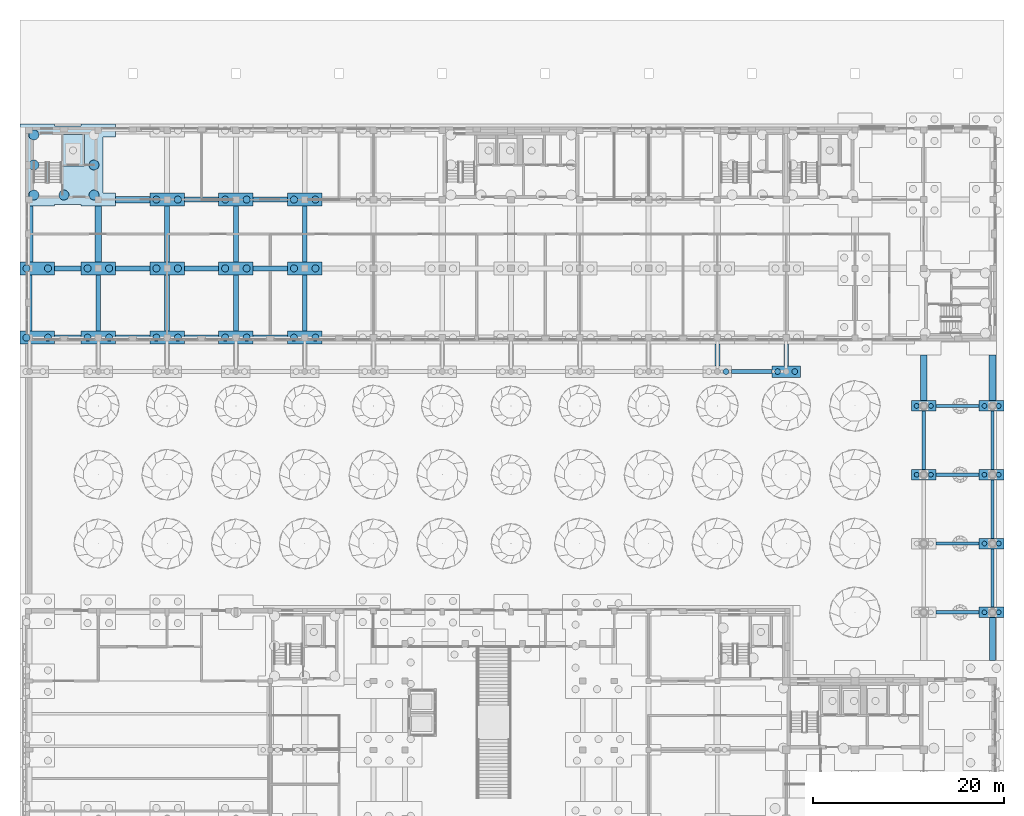
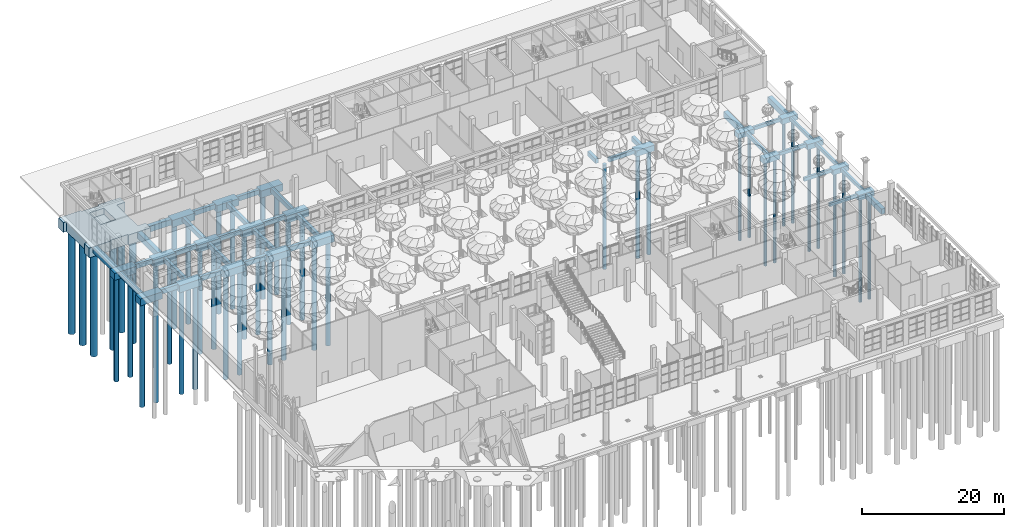
# One storey, part 5 of 80: 57 footings, 47 piles.
"""IFC4 building model written with IfcOpenShell, lengths in metres."""

from ifc_helpers import new_model, si_unit, direction, frame, origin, origin_2d, place, context, subcontext, project, spatial, polyline, rectangle, circle, outline, extrude, material, material_profile, profile_set, type_object, element, save


model = new_model("IFC4")

# Units and contexts
model_context = context("Model", 3, precision=1e-05, world=origin(), true_north=direction((0.0, 1.0)))
body_context = subcontext(model_context, "Body", "Model", "MODEL_VIEW")
ifc_project = project(units=[si_unit("LENGTHUNIT", "METRE"), si_unit("AREAUNIT", "SQUARE_METRE"), si_unit("VOLUMEUNIT", "CUBIC_METRE"), si_unit("PLANEANGLEUNIT", "RADIAN"), si_unit("MASSUNIT", "GRAM", prefix="KILO")], contexts=[model_context])

# Site, building, storey
site_placement = place(None, origin())
site = spatial("IfcSite", under=ifc_project, at=site_placement, CompositionType="ELEMENT")
building_placement = place(site_placement, origin())
building = spatial("IfcBuilding", under=site, at=building_placement, Name="Ussher Court Research Institute", CompositionType="ELEMENT")
storey_placement = place(building_placement, origin())
storey = spatial("IfcBuildingStorey", under=building, at=storey_placement, Name="L00", CompositionType="ELEMENT", Elevation=0.0)

# Piles
ifc_material_1 = material(Name="Concrete C35/45", Category="concrete")
ifc_material_profile_1 = material_profile(ifc_material_1, circle(Radius=0.52490234375, at=origin_2d()), Name="RC D1050")
ifc_profile_set_1 = profile_set([ifc_material_profile_1], Name="Concrete C35/45")
pile_type_1 = type_object("IfcPileType", Name="Bored pile D1050", PredefinedType="BORED", material=ifc_profile_set_1)
for number, where, z_axis, x_axis, name in (
    (1, (3.449951171875, 83.675048828125, -2.10009765625), (0.0, 0.0, -1.0), (1.0, 0.0, 0.0), "P5 016-01"),
    (2, (3.449951171875, 86.824951171875, -2.10009765625), (0.0, 0.0, -1.0), (1.0, 0.0, 0.0), "P5 016-02"),
    (3, (3.449951171875, 89.97509765625, -2.10009765625), (0.0, 0.0, -1.0), (1.0, 0.0, 0.0), "P5 016-03"),
    (4, (6.60009765625, 83.675048828125, -2.10009765625), (0.0, 0.0, -1.0), (1.0, 0.0, 0.0), "P5 016-04"),
    (5, (9.75, 83.675048828125, -2.10009765625), (0.0, 0.0, -1.0), (1.0, 0.0, 0.0), "P5 016-05"),
    (6, (9.75, 86.824951171875, -2.10009765625), (0.0, 0.0, -1.0), (1.0, 0.0, 0.0), "P5 016-06"),
):
    element("IfcPile", number, at=place(storey_placement, frame(where, z_axis=z_axis, x_axis=x_axis)), inside=storey, type_object=pile_type_1, Name=name, PredefinedType="BORED", context=body_context, shape_type="SweptSolid", body=[
        extrude(circle(Radius=0.52490234375, at=origin_2d()), origin(), (0.0, 0.0, 1.0), 18.0),
    ])
ifc_material_2 = material(Name="Concrete C35/45", Category="concrete")
ifc_material_profile_2 = material_profile(ifc_material_2, circle(Radius=0.25, at=origin_2d()), Name="RC D500")
ifc_profile_set_2 = profile_set([ifc_material_profile_2], Name="Concrete C35/45")
pile_type_2 = type_object("IfcPileType", Name="Bored pile D500", PredefinedType="BORED", material=ifc_profile_set_2)
for number, where, z_axis, x_axis, name in (
    (7, (95.85009765625, 54.39990234375, -1.300048828125), (0.0, 0.0, -1.0), (1.0, 0.0, 0.0), "P4 107-01"),
    (8, (97.35009765625, 54.39990234375, -1.300048828125), (0.0, 0.0, -1.0), (1.0, 0.0, 0.0), "P4 107-02"),
    (9, (95.85009765625, 61.60009765625, -1.300048828125), (0.0, 0.0, -1.0), (1.0, 0.0, 0.0), "P4 108-01"),
    (10, (97.35009765625, 61.60009765625, -1.300048828125), (0.0, 0.0, -1.0), (1.0, 0.0, 0.0), "P4 108-02"),
    (11, (102.949951171875, 40.0, -1.300048828125), (0.0, 0.0, -1.0), (1.0, 0.0, 0.0), "P4 116-01"),
    (12, (104.449951171875, 40.0, -1.300048828125), (0.0, 0.0, -1.0), (1.0, 0.0, 0.0), "P4 116-02"),
    (13, (102.949951171875, 47.199951171875, -1.300048828125), (0.0, 0.0, -1.0), (1.0, 0.0, 0.0), "P4 117-01"),
    (14, (104.449951171875, 47.199951171875, -1.300048828125), (0.0, 0.0, -1.0), (1.0, 0.0, 0.0), "P4 117-02"),
    (15, (102.949951171875, 54.39990234375, -1.300048828125), (0.0, 0.0, -1.0), (1.0, 0.0, 0.0), "P4 118-01"),
    (16, (104.449951171875, 54.39990234375, -1.300048828125), (0.0, 0.0, -1.0), (1.0, 0.0, 0.0), "P4 118-02"),
    (17, (102.949951171875, 61.60009765625, -1.300048828125), (0.0, 0.0, -1.0), (1.0, 0.0, 0.0), "P4 119-01"),
    (18, (104.449951171875, 61.60009765625, -1.300048828125), (0.0, 0.0, -1.0), (1.0, 0.0, 0.0), "P4 119-02"),
):
    element("IfcPile", number, at=place(storey_placement, frame(where, z_axis=z_axis, x_axis=x_axis)), inside=storey, type_object=pile_type_2, Name=name, PredefinedType="BORED", context=body_context, shape_type="SweptSolid", body=[
        extrude(circle(Radius=0.25, at=origin_2d()), origin(), (0.0, 0.0, 1.0), 18.0),
    ])
ifc_material_3 = material(Name="Concrete C35/45", Category="concrete")
ifc_material_profile_3 = material_profile(ifc_material_3, circle(Radius=0.300048828125, at=origin_2d()), Name="RC D600")
ifc_profile_set_3 = profile_set([ifc_material_profile_3], Name="Concrete C35/45")
pile_type_3 = type_object("IfcPileType", Name="Bored pile D600", PredefinedType="BORED", material=ifc_profile_set_3)
for number, where, z_axis, x_axis, name in (
    (19, (75.89990234375, 65.199951171875, -1.39990234375), (0.0, 0.0, -1.0), (1.0, 0.0, 0.0), "P2 085-02"),
    (20, (81.300048828125, 65.199951171875, -1.39990234375), (0.0, 0.0, -1.0), (1.0, 0.0, 0.0), "P2 095-01"),
    (21, (83.10009765625, 65.199951171875, -1.39990234375), (0.0, 0.0, -1.0), (1.0, 0.0, 0.0), "P2 095-02"),
):
    element("IfcPile", number, at=place(storey_placement, frame(where, z_axis=z_axis, x_axis=x_axis)), inside=storey, type_object=pile_type_3, Name=name, PredefinedType="BORED", context=body_context, shape_type="SweptSolid", body=[
        extrude(circle(Radius=0.300048828125, at=origin_2d()), origin(), (0.0, 0.0, 1.0), 18.0),
    ])
ifc_material_4 = material(Name="Concrete C35/45", Category="concrete")
ifc_material_profile_4 = material_profile(ifc_material_4, circle(Radius=0.375, at=origin_2d()), Name="RC D750")
ifc_profile_set_4 = profile_set([ifc_material_profile_4], Name="Concrete C35/45")
pile_type_4 = type_object("IfcPileType", Name="Bored pile D750", PredefinedType="BORED", material=ifc_profile_set_4)
for number, where, z_axis, x_axis, name in (
    (22, (2.675048828125, 68.75, -1.60009765625), (0.0, 0.0, -1.0), (1.0, 0.0, 0.0), "P1 014-01"),
    (23, (4.925048828125, 68.75, -1.60009765625), (0.0, 0.0, -1.0), (1.0, 0.0, 0.0), "P1 014-02"),
    (24, (2.675048828125, 76.0, -1.60009765625), (0.0, 0.0, -1.0), (1.0, 0.0, 0.0), "P1 015-01"),
    (25, (4.925048828125, 76.0, -1.60009765625), (0.0, 0.0, -1.0), (1.0, 0.0, 0.0), "P1 015-02"),
    (26, (9.074951171875, 68.75, -1.60009765625), (0.0, 0.0, -1.0), (1.0, 0.0, 0.0), "P1 019-01"),
    (27, (11.324951171875, 68.75, -1.60009765625), (0.0, 0.0, -1.0), (1.0, 0.0, 0.0), "P1 019-02"),
    (28, (9.074951171875, 76.0, -1.60009765625), (0.0, 0.0, -1.0), (1.0, 0.0, 0.0), "P1 020-01"),
    (29, (11.324951171875, 76.0, -1.60009765625), (0.0, 0.0, -1.0), (1.0, 0.0, 0.0), "P1 020-02"),
    (30, (16.27490234375, 68.75, -1.60009765625), (0.0, 0.0, -1.0), (1.0, 0.0, 0.0), "P1 026-01"),
    (31, (18.52490234375, 68.75, -1.60009765625), (0.0, 0.0, -1.0), (1.0, 0.0, 0.0), "P1 026-02"),
    (32, (16.27490234375, 76.0, -1.60009765625), (0.0, 0.0, -1.0), (1.0, 0.0, 0.0), "P1 027-01"),
    (33, (18.52490234375, 76.0, -1.60009765625), (0.0, 0.0, -1.0), (1.0, 0.0, 0.0), "P1 027-02"),
    (34, (16.27490234375, 83.199951171875, -1.60009765625), (0.0, 0.0, -1.0), (1.0, 0.0, 0.0), "P1 028-01"),
    (35, (18.52490234375, 83.199951171875, -1.60009765625), (0.0, 0.0, -1.0), (1.0, 0.0, 0.0), "P1 028-02"),
    (36, (23.47509765625, 68.75, -1.60009765625), (0.0, 0.0, -1.0), (1.0, 0.0, 0.0), "P1 034-01"),
    (37, (25.72509765625, 68.75, -1.60009765625), (0.0, 0.0, -1.0), (1.0, 0.0, 0.0), "P1 034-02"),
    (38, (23.47509765625, 76.0, -1.60009765625), (0.0, 0.0, -1.0), (1.0, 0.0, 0.0), "P1 035-01"),
    (39, (25.72509765625, 76.0, -1.60009765625), (0.0, 0.0, -1.0), (1.0, 0.0, 0.0), "P1 035-02"),
    (40, (23.47509765625, 83.199951171875, -1.60009765625), (0.0, 0.0, -1.0), (1.0, 0.0, 0.0), "P1 036-01"),
    (41, (25.72509765625, 83.199951171875, -1.60009765625), (0.0, 0.0, -1.0), (1.0, 0.0, 0.0), "P1 036-02"),
    (42, (30.675048828125, 68.75, -1.60009765625), (0.0, 0.0, -1.0), (1.0, 0.0, 0.0), "P1 040-01"),
    (43, (32.925048828125, 68.75, -1.60009765625), (0.0, 0.0, -1.0), (1.0, 0.0, 0.0), "P1 040-02"),
    (44, (30.675048828125, 76.0, -1.60009765625), (0.0, 0.0, -1.0), (1.0, 0.0, 0.0), "P1 041-01"),
    (45, (32.925048828125, 76.0, -1.60009765625), (0.0, 0.0, -1.0), (1.0, 0.0, 0.0), "P1 041-02"),
    (46, (30.675048828125, 83.199951171875, -1.60009765625), (0.0, 0.0, -1.0), (1.0, 0.0, 0.0), "P1 042-01"),
    (47, (32.925048828125, 83.199951171875, -1.60009765625), (0.0, 0.0, -1.0), (1.0, 0.0, 0.0), "P1 042-02"),
):
    element("IfcPile", number, at=place(storey_placement, frame(where, z_axis=z_axis, x_axis=x_axis)), inside=storey, type_object=pile_type_4, Name=name, PredefinedType="BORED", context=body_context, shape_type="SweptSolid", body=[
        extrude(circle(Radius=0.375, at=origin_2d()), origin(), (0.0, 0.0, 1.0), 18.0),
    ])

# Footings
ifc_material_5 = material(Name="Concrete C35/45", Category="concrete")
footing_type_1 = type_object("IfcFootingType", Name="Core raft 10000x8600x1700", PredefinedType="PILE_CAP", material=ifc_material_5)
footing_1_placement = place(storey_placement, frame((0.0, 0.0, -2.25)))
element("IfcFooting", 48, at=footing_1_placement, inside=storey, type_object=footing_type_1, Name="CR12 016", PredefinedType="PILE_CAP", context=body_context, shape_type="SweptSolid", body=[
    extrude(outline(polyline([(2.5, 89.77490234375), (2.5, 83.875), (2.0, 83.875), (2.0, 82.52490234375), (5.60009765625, 82.52490234375), (5.60009765625, 82.699951171875), (8.39990234375, 82.699951171875), (8.39990234375, 82.52490234375), (12.0, 82.52490234375), (12.0, 83.875), (10.699951171875, 83.875), (10.699951171875, 89.77490234375), (12.0, 89.77490234375), (12.0, 91.125), (8.39990234375, 91.125), (8.39990234375, 90.89990234375), (5.60009765625, 90.89990234375), (5.60009765625, 91.125), (2.0, 91.125), (2.0, 89.77490234375), (2.5, 89.77490234375)]), holes=[polyline([(8.75, 90.0), (8.75, 86.699951171875), (6.35009765625, 86.699951171875), (6.35009765625, 90.0), (8.75, 90.0)])]), origin(), (0.0, 0.0, 1.0), 1.699951171875),
])
ifc_material_6 = material(Name="Concrete C35/45", Category="concrete")
footing_type_2 = type_object("IfcFootingType", Name="Core raft 3300x2400x1200", PredefinedType="PILE_CAP", material=ifc_material_6)
footing_2_placement = place(storey_placement, frame((0.0, 0.0, -2.800048828125)))
element("IfcFooting", 49, at=footing_2_placement, inside=storey, type_object=footing_type_2, Name="CR3 002", PredefinedType="PILE_CAP", context=body_context, shape_type="SweptSolid", body=[
    extrude(outline(polyline([(8.75, 86.699951171875), (8.75, 90.0), (6.35009765625, 90.0), (6.35009765625, 86.699951171875), (8.75, 86.699951171875)])), origin(), (0.0, 0.0, 1.0), 1.199951171875),
])
ifc_material_7 = material(Name="Concrete C35/45", Category="concrete")
footing_type_3 = type_object("IfcFootingType", Name="Pile cap 2600x1100x900", PredefinedType="PILE_CAP", material=ifc_material_7)
footing_3_placement = place(storey_placement, frame((0.0, 0.0, -1.449951171875)))
element("IfcFooting", 50, at=footing_3_placement, inside=storey, type_object=footing_type_3, Name="PC1 107", PredefinedType="PILE_CAP", context=body_context, shape_type="SweptSolid", body=[
    extrude(outline(polyline([(95.300048828125, 53.85009765625), (97.89990234375, 53.85009765625), (97.89990234375, 54.949951171875), (95.300048828125, 54.949951171875), (95.300048828125, 53.85009765625)])), origin(), (0.0, 0.0, 1.0), 0.89990234375),
])
footing_4_placement = place(storey_placement, frame((0.0, 0.0, -1.449951171875)))
element("IfcFooting", 51, at=footing_4_placement, inside=storey, type_object=footing_type_3, Name="PC1 108", PredefinedType="PILE_CAP", context=body_context, shape_type="SweptSolid", body=[
    extrude(outline(polyline([(95.300048828125, 61.050048828125), (97.89990234375, 61.050048828125), (97.89990234375, 62.14990234375), (95.300048828125, 62.14990234375), (95.300048828125, 61.050048828125)])), origin(), (0.0, 0.0, 1.0), 0.89990234375),
])
footing_5_placement = place(storey_placement, frame((0.0, 0.0, -1.449951171875)))
element("IfcFooting", 52, at=footing_5_placement, inside=storey, type_object=footing_type_3, Name="PC1 116", PredefinedType="PILE_CAP", context=body_context, shape_type="SweptSolid", body=[
    extrude(outline(polyline([(102.39990234375, 39.449951171875), (105.0, 39.449951171875), (105.0, 40.550048828125), (102.39990234375, 40.550048828125), (102.39990234375, 39.449951171875)])), origin(), (0.0, 0.0, 1.0), 0.89990234375),
])
footing_6_placement = place(storey_placement, frame((0.0, 0.0, -1.449951171875)))
element("IfcFooting", 53, at=footing_6_placement, inside=storey, type_object=footing_type_3, Name="PC1 117", PredefinedType="PILE_CAP", context=body_context, shape_type="SweptSolid", body=[
    extrude(outline(polyline([(102.39990234375, 46.64990234375), (105.0, 46.64990234375), (105.0, 47.75), (102.39990234375, 47.75), (102.39990234375, 46.64990234375)])), origin(), (0.0, 0.0, 1.0), 0.89990234375),
])
footing_7_placement = place(storey_placement, frame((0.0, 0.0, -1.449951171875)))
element("IfcFooting", 54, at=footing_7_placement, inside=storey, type_object=footing_type_3, Name="PC1 118", PredefinedType="PILE_CAP", context=body_context, shape_type="SweptSolid", body=[
    extrude(outline(polyline([(102.39990234375, 53.85009765625), (105.0, 53.85009765625), (105.0, 54.949951171875), (102.39990234375, 54.949951171875), (102.39990234375, 53.85009765625)])), origin(), (0.0, 0.0, 1.0), 0.89990234375),
])
footing_8_placement = place(storey_placement, frame((0.0, 0.0, -1.449951171875)))
element("IfcFooting", 55, at=footing_8_placement, inside=storey, type_object=footing_type_3, Name="PC1 119", PredefinedType="PILE_CAP", context=body_context, shape_type="SweptSolid", body=[
    extrude(outline(polyline([(102.39990234375, 61.050048828125), (105.0, 61.050048828125), (105.0, 62.14990234375), (102.39990234375, 62.14990234375), (102.39990234375, 61.050048828125)])), origin(), (0.0, 0.0, 1.0), 0.89990234375),
])
ifc_material_8 = material(Name="Concrete C35/45", Category="concrete")
footing_type_4 = type_object("IfcFootingType", Name="Pile cap 3000x1200x1000", PredefinedType="PILE_CAP", material=ifc_material_8)
footing_9_placement = place(storey_placement, frame((0.0, 0.0, -1.550048828125)))
element("IfcFooting", 56, at=footing_9_placement, inside=storey, type_object=footing_type_4, Name="PC2 095", PredefinedType="PILE_CAP", context=body_context, shape_type="SweptSolid", body=[
    extrude(outline(polyline([(80.699951171875, 64.60009765625), (83.699951171875, 64.60009765625), (83.699951171875, 65.800048828125), (80.699951171875, 65.800048828125), (80.699951171875, 64.60009765625)])), origin(), (0.0, 0.0, 1.0), 1.0),
])
ifc_material_9 = material(Name="Concrete C35/45", Category="concrete")
footing_type_5 = type_object("IfcFootingType", Name="Pile cap 3600x1350x1200", PredefinedType="PILE_CAP", material=ifc_material_9)
footing_10_placement = place(storey_placement, frame((0.0, 0.0, -1.75)))
element("IfcFooting", 57, at=footing_10_placement, inside=storey, type_object=footing_type_5, Name="PC4 014", PredefinedType="PILE_CAP", context=body_context, shape_type="SweptSolid", body=[
    extrude(outline(polyline([(2.0, 68.074951171875), (5.60009765625, 68.074951171875), (5.60009765625, 69.425048828125), (2.0, 69.425048828125), (2.0, 68.074951171875)])), origin(), (0.0, 0.0, 1.0), 1.199951171875),
])
footing_11_placement = place(storey_placement, frame((0.0, 0.0, -1.75)))
element("IfcFooting", 58, at=footing_11_placement, inside=storey, type_object=footing_type_5, Name="PC4 015", PredefinedType="PILE_CAP", context=body_context, shape_type="SweptSolid", body=[
    extrude(outline(polyline([(2.0, 75.324951171875), (5.60009765625, 75.324951171875), (5.60009765625, 76.675048828125), (2.0, 76.675048828125), (2.0, 75.324951171875)])), origin(), (0.0, 0.0, 1.0), 1.199951171875),
])
footing_12_placement = place(storey_placement, frame((0.0, 0.0, -1.75)))
element("IfcFooting", 59, at=footing_12_placement, inside=storey, type_object=footing_type_5, Name="PC4 019", PredefinedType="PILE_CAP", context=body_context, shape_type="SweptSolid", body=[
    extrude(outline(polyline([(8.39990234375, 68.074951171875), (12.0, 68.074951171875), (12.0, 69.425048828125), (8.39990234375, 69.425048828125), (8.39990234375, 68.074951171875)])), origin(), (0.0, 0.0, 1.0), 1.199951171875),
])
footing_13_placement = place(storey_placement, frame((0.0, 0.0, -1.75)))
element("IfcFooting", 60, at=footing_13_placement, inside=storey, type_object=footing_type_5, Name="PC4 020", PredefinedType="PILE_CAP", context=body_context, shape_type="SweptSolid", body=[
    extrude(outline(polyline([(8.39990234375, 75.324951171875), (12.0, 75.324951171875), (12.0, 76.675048828125), (8.39990234375, 76.675048828125), (8.39990234375, 75.324951171875)])), origin(), (0.0, 0.0, 1.0), 1.199951171875),
])
footing_14_placement = place(storey_placement, frame((0.0, 0.0, -1.75)))
element("IfcFooting", 61, at=footing_14_placement, inside=storey, type_object=footing_type_5, Name="PC4 026", PredefinedType="PILE_CAP", context=body_context, shape_type="SweptSolid", body=[
    extrude(outline(polyline([(15.60009765625, 68.074951171875), (19.199951171875, 68.074951171875), (19.199951171875, 69.425048828125), (15.60009765625, 69.425048828125), (15.60009765625, 68.074951171875)])), origin(), (0.0, 0.0, 1.0), 1.199951171875),
])
footing_15_placement = place(storey_placement, frame((0.0, 0.0, -1.75)))
element("IfcFooting", 62, at=footing_15_placement, inside=storey, type_object=footing_type_5, Name="PC4 027", PredefinedType="PILE_CAP", context=body_context, shape_type="SweptSolid", body=[
    extrude(outline(polyline([(15.60009765625, 75.324951171875), (19.199951171875, 75.324951171875), (19.199951171875, 76.675048828125), (15.60009765625, 76.675048828125), (15.60009765625, 75.324951171875)])), origin(), (0.0, 0.0, 1.0), 1.199951171875),
])
footing_16_placement = place(storey_placement, frame((0.0, 0.0, -1.75)))
element("IfcFooting", 63, at=footing_16_placement, inside=storey, type_object=footing_type_5, Name="PC4 028", PredefinedType="PILE_CAP", context=body_context, shape_type="SweptSolid", body=[
    extrude(outline(polyline([(15.60009765625, 82.52490234375), (19.199951171875, 82.52490234375), (19.199951171875, 83.875), (15.60009765625, 83.875), (15.60009765625, 82.52490234375)])), origin(), (0.0, 0.0, 1.0), 1.199951171875),
])
footing_17_placement = place(storey_placement, frame((0.0, 0.0, -1.75)))
element("IfcFooting", 64, at=footing_17_placement, inside=storey, type_object=footing_type_5, Name="PC4 034", PredefinedType="PILE_CAP", context=body_context, shape_type="SweptSolid", body=[
    extrude(outline(polyline([(22.800048828125, 68.074951171875), (26.39990234375, 68.074951171875), (26.39990234375, 69.425048828125), (22.800048828125, 69.425048828125), (22.800048828125, 68.074951171875)])), origin(), (0.0, 0.0, 1.0), 1.199951171875),
])
footing_18_placement = place(storey_placement, frame((0.0, 0.0, -1.75)))
element("IfcFooting", 65, at=footing_18_placement, inside=storey, type_object=footing_type_5, Name="PC4 035", PredefinedType="PILE_CAP", context=body_context, shape_type="SweptSolid", body=[
    extrude(outline(polyline([(22.800048828125, 75.324951171875), (26.39990234375, 75.324951171875), (26.39990234375, 76.675048828125), (22.800048828125, 76.675048828125), (22.800048828125, 75.324951171875)])), origin(), (0.0, 0.0, 1.0), 1.199951171875),
])
footing_19_placement = place(storey_placement, frame((0.0, 0.0, -1.75)))
element("IfcFooting", 66, at=footing_19_placement, inside=storey, type_object=footing_type_5, Name="PC4 036", PredefinedType="PILE_CAP", context=body_context, shape_type="SweptSolid", body=[
    extrude(outline(polyline([(22.800048828125, 82.52490234375), (26.39990234375, 82.52490234375), (26.39990234375, 83.875), (22.800048828125, 83.875), (22.800048828125, 82.52490234375)])), origin(), (0.0, 0.0, 1.0), 1.199951171875),
])
footing_20_placement = place(storey_placement, frame((0.0, 0.0, -1.75)))
element("IfcFooting", 67, at=footing_20_placement, inside=storey, type_object=footing_type_5, Name="PC4 040", PredefinedType="PILE_CAP", context=body_context, shape_type="SweptSolid", body=[
    extrude(outline(polyline([(30.0, 68.074951171875), (33.60009765625, 68.074951171875), (33.60009765625, 69.425048828125), (30.0, 69.425048828125), (30.0, 68.074951171875)])), origin(), (0.0, 0.0, 1.0), 1.199951171875),
])
footing_21_placement = place(storey_placement, frame((0.0, 0.0, -1.75)))
element("IfcFooting", 68, at=footing_21_placement, inside=storey, type_object=footing_type_5, Name="PC4 041", PredefinedType="PILE_CAP", context=body_context, shape_type="SweptSolid", body=[
    extrude(outline(polyline([(30.0, 75.324951171875), (33.60009765625, 75.324951171875), (33.60009765625, 76.675048828125), (30.0, 76.675048828125), (30.0, 75.324951171875)])), origin(), (0.0, 0.0, 1.0), 1.199951171875),
])
footing_22_placement = place(storey_placement, frame((0.0, 0.0, -1.75)))
element("IfcFooting", 69, at=footing_22_placement, inside=storey, type_object=footing_type_5, Name="PC4 042", PredefinedType="PILE_CAP", context=body_context, shape_type="SweptSolid", body=[
    extrude(outline(polyline([(30.0, 82.52490234375), (33.60009765625, 82.52490234375), (33.60009765625, 83.875), (30.0, 83.875), (30.0, 82.52490234375)])), origin(), (0.0, 0.0, 1.0), 1.199951171875),
])
ifc_material_10 = material(Name="Concrete C35/45", Category="concrete")
ifc_material_profile_5 = material_profile(ifc_material_10, rectangle(XDim=0.35009765625, YDim=0.60009765625, at=origin_2d()), Name="RC 350x600")
ifc_profile_set_5 = profile_set([ifc_material_profile_5], Name="Concrete C35/45")
footing_type_6 = type_object("IfcFootingType", Name="RC 350x600 ground beam", PredefinedType="FOOTING_BEAM", material=ifc_profile_set_5)
for number, where, z_axis, x_axis, name in (
    (70, (97.90087890625, 40.0, -0.85009765625), (1.0, 0.0, 0.0), (0.0, 1.0, 0.0), "GB4 056"),
    (71, (97.90087890625, 47.199951171875, -0.85009765625), (1.0, 0.0, 0.0), (0.0, 1.0, 0.0), "GB4 057"),
    (72, (97.90087890625, 54.39990234375, -0.85009765625), (1.0, 0.0, 0.0), (0.0, 1.0, 0.0), "GB4 058"),
    (73, (97.90087890625, 61.60009765625, -0.85009765625), (1.0, 0.0, 0.0), (0.0, 1.0, 0.0), "GB4 059"),
):
    element("IfcFooting", number, at=place(storey_placement, frame(where, z_axis=z_axis, x_axis=x_axis)), inside=storey, type_object=footing_type_6, Name=name, PredefinedType="FOOTING_BEAM", context=body_context, shape_type="SweptSolid", body=[
        extrude(rectangle(XDim=0.35009765625, YDim=0.60009765625, at=origin_2d()), origin(), (0.0, 0.0, 1.0), 4.498046875),
    ])
footing_23_placement = place(storey_placement, frame((96.60009765625, 54.950927734375, -0.85009765625), z_axis=(0.0, 1.0, 0.0), x_axis=(-1.0, 0.0, 0.0)))
element("IfcFooting", 74, at=footing_23_placement, inside=storey, type_object=footing_type_6, Name="GB4 201", PredefinedType="FOOTING_BEAM", context=body_context, shape_type="SweptSolid", body=[
    extrude(rectangle(XDim=0.35009765625, YDim=0.60009765625, at=origin_2d()), origin(), (0.0, 0.0, 1.0), 6.09814453125),
])
footing_24_placement = place(storey_placement, frame((103.800048828125, 40.551025390625, -0.85009765625), z_axis=(0.0, 1.0, 0.0), x_axis=(-1.0, 0.0, 0.0)))
element("IfcFooting", 75, at=footing_24_placement, inside=storey, type_object=footing_type_6, Name="GB4 210", PredefinedType="FOOTING_BEAM", context=body_context, shape_type="SweptSolid", body=[
    extrude(rectangle(XDim=0.35009765625, YDim=0.60009765625, at=origin_2d()), origin(), (0.0, 0.0, 1.0), 6.097900390625),
])
for number, where, z_axis, x_axis, name in (
    (76, (103.800048828125, 47.7509765625, -0.85009765625), (0.0, 1.0, 0.0), (-1.0, 0.0, 0.0), "GB4 211"),
    (77, (103.800048828125, 54.950927734375, -0.85009765625), (0.0, 1.0, 0.0), (-1.0, 0.0, 0.0), "GB4 212"),
):
    element("IfcFooting", number, at=place(storey_placement, frame(where, z_axis=z_axis, x_axis=x_axis)), inside=storey, type_object=footing_type_6, Name=name, PredefinedType="FOOTING_BEAM", context=body_context, shape_type="SweptSolid", body=[
        extrude(rectangle(XDim=0.35009765625, YDim=0.60009765625, at=origin_2d()), origin(), (0.0, 0.0, 1.0), 6.09814453125),
    ])
ifc_material_11 = material(Name="Concrete C35/45", Category="concrete")
ifc_material_profile_6 = material_profile(ifc_material_11, rectangle(XDim=0.39990234375, YDim=0.699951171875, at=origin_2d()), Name="RC 400x700")
ifc_profile_set_6 = profile_set([ifc_material_profile_6], Name="Concrete C35/45")
footing_type_7 = type_object("IfcFootingType", Name="RC 400x700 ground beam", PredefinedType="FOOTING_BEAM", material=ifc_profile_set_6)
footing_25_placement = place(storey_placement, frame((76.5009765625, 65.199951171875, -0.89990234375), z_axis=(1.0, 0.0, 0.0), x_axis=(0.0, 1.0, 0.0)))
element("IfcFooting", 78, at=footing_25_placement, inside=storey, type_object=footing_type_7, Name="GB2 070", PredefinedType="FOOTING_BEAM", context=body_context, shape_type="SweptSolid", body=[
    extrude(rectangle(XDim=0.39990234375, YDim=0.699951171875, at=origin_2d()), origin(), (0.0, 0.0, 1.0), 4.197998046875),
])
ifc_material_12 = material(Name="Concrete C35/45", Category="concrete")
ifc_material_profile_7 = material_profile(ifc_material_12, rectangle(XDim=0.5, YDim=0.800048828125, at=origin_2d()), Name="RC 500x800")
ifc_profile_set_7 = profile_set([ifc_material_profile_7], Name="Concrete C35/45")
footing_type_8 = type_object("IfcFootingType", Name="RC 500x800 ground beam", PredefinedType="FOOTING_BEAM", material=ifc_profile_set_7)
footing_26_placement = place(storey_placement, frame((5.60107421875, 68.800048828125, -0.949951171875), z_axis=(1.0, 0.0, 0.0), x_axis=(0.0, 1.0, 0.0)))
element("IfcFooting", 79, at=footing_26_placement, inside=storey, type_object=footing_type_8, Name="GB1 071", PredefinedType="FOOTING_BEAM", context=body_context, shape_type="SweptSolid", body=[
    extrude(rectangle(XDim=0.5, YDim=0.800048828125, at=origin_2d()), origin(), (0.0, 0.0, 1.0), 2.7978515625),
])
for number, where, z_axis, x_axis, name in (
    (80, (12.0009765625, 68.800048828125, -0.949951171875), (1.0, 0.0, 0.0), (0.0, 1.0, 0.0), "GB1 072"),
    (81, (19.200927734375, 68.800048828125, -0.949951171875), (1.0, 0.0, 0.0), (0.0, 1.0, 0.0), "GB1 073"),
    (82, (26.40087890625, 68.800048828125, -0.949951171875), (1.0, 0.0, 0.0), (0.0, 1.0, 0.0), "GB1 074"),
):
    element("IfcFooting", number, at=place(storey_placement, frame(where, z_axis=z_axis, x_axis=x_axis)), inside=storey, type_object=footing_type_8, Name=name, PredefinedType="FOOTING_BEAM", context=body_context, shape_type="SweptSolid", body=[
        extrude(rectangle(XDim=0.5, YDim=0.800048828125, at=origin_2d()), origin(), (0.0, 0.0, 1.0), 3.59814453125),
    ])
footing_27_placement = place(storey_placement, frame((5.60107421875, 76.0, -0.949951171875), z_axis=(1.0, 0.0, 0.0), x_axis=(0.0, 1.0, 0.0)))
element("IfcFooting", 83, at=footing_27_placement, inside=storey, type_object=footing_type_8, Name="GB1 084", PredefinedType="FOOTING_BEAM", context=body_context, shape_type="SweptSolid", body=[
    extrude(rectangle(XDim=0.5, YDim=0.800048828125, at=origin_2d()), origin(), (0.0, 0.0, 1.0), 2.7978515625),
])
for number, where, z_axis, x_axis, name in (
    (84, (12.0009765625, 76.0, -0.949951171875), (1.0, 0.0, 0.0), (0.0, 1.0, 0.0), "GB1 085"),
    (85, (19.200927734375, 76.0, -0.949951171875), (1.0, 0.0, 0.0), (0.0, 1.0, 0.0), "GB1 086"),
    (86, (26.40087890625, 76.0, -0.949951171875), (1.0, 0.0, 0.0), (0.0, 1.0, 0.0), "GB1 087"),
    (87, (19.200927734375, 83.199951171875, -0.949951171875), (1.0, 0.0, 0.0), (0.0, 1.0, 0.0), "GB1 098"),
    (88, (26.40087890625, 83.199951171875, -0.949951171875), (1.0, 0.0, 0.0), (0.0, 1.0, 0.0), "GB1 099"),
):
    element("IfcFooting", number, at=place(storey_placement, frame(where, z_axis=z_axis, x_axis=x_axis)), inside=storey, type_object=footing_type_8, Name=name, PredefinedType="FOOTING_BEAM", context=body_context, shape_type="SweptSolid", body=[
        extrude(rectangle(XDim=0.5, YDim=0.800048828125, at=origin_2d()), origin(), (0.0, 0.0, 1.0), 3.59814453125),
    ])
for number, where, z_axis, x_axis, name in (
    (89, (3.0, 69.426025390625, -0.949951171875), (0.0, 1.0, 0.0), (-1.0, 0.0, 0.0), "GB1 120"),
    (90, (10.199951171875, 69.426025390625, -0.949951171875), (0.0, 1.0, 0.0), (-1.0, 0.0, 0.0), "GB1 124"),
    (91, (17.39990234375, 69.426025390625, -0.949951171875), (0.0, 1.0, 0.0), (-1.0, 0.0, 0.0), "GB1 129"),
):
    element("IfcFooting", number, at=place(storey_placement, frame(where, z_axis=z_axis, x_axis=x_axis)), inside=storey, type_object=footing_type_8, Name=name, PredefinedType="FOOTING_BEAM", context=body_context, shape_type="SweptSolid", body=[
        extrude(rectangle(XDim=0.5, YDim=0.800048828125, at=origin_2d()), origin(), (0.0, 0.0, 1.0), 5.89794921875),
    ])
footing_28_placement = place(storey_placement, frame((17.39990234375, 76.676025390625, -0.949951171875), z_axis=(0.0, 1.0, 0.0), x_axis=(-1.0, 0.0, 0.0)))
element("IfcFooting", 92, at=footing_28_placement, inside=storey, type_object=footing_type_8, Name="GB1 130", PredefinedType="FOOTING_BEAM", context=body_context, shape_type="SweptSolid", body=[
    extrude(rectangle(XDim=0.5, YDim=0.800048828125, at=origin_2d()), origin(), (0.0, 0.0, 1.0), 5.847900390625),
])
footing_29_placement = place(storey_placement, frame((24.60009765625, 69.426025390625, -0.949951171875), z_axis=(0.0, 1.0, 0.0), x_axis=(-1.0, 0.0, 0.0)))
element("IfcFooting", 93, at=footing_29_placement, inside=storey, type_object=footing_type_8, Name="GB1 134", PredefinedType="FOOTING_BEAM", context=body_context, shape_type="SweptSolid", body=[
    extrude(rectangle(XDim=0.5, YDim=0.800048828125, at=origin_2d()), origin(), (0.0, 0.0, 1.0), 5.89794921875),
])
footing_30_placement = place(storey_placement, frame((24.60009765625, 76.676025390625, -0.949951171875), z_axis=(0.0, 1.0, 0.0), x_axis=(-1.0, 0.0, 0.0)))
element("IfcFooting", 94, at=footing_30_placement, inside=storey, type_object=footing_type_8, Name="GB1 135", PredefinedType="FOOTING_BEAM", context=body_context, shape_type="SweptSolid", body=[
    extrude(rectangle(XDim=0.5, YDim=0.800048828125, at=origin_2d()), origin(), (0.0, 0.0, 1.0), 5.847900390625),
])
footing_31_placement = place(storey_placement, frame((31.800048828125, 69.426025390625, -0.949951171875), z_axis=(0.0, 1.0, 0.0), x_axis=(-1.0, 0.0, 0.0)))
element("IfcFooting", 95, at=footing_31_placement, inside=storey, type_object=footing_type_8, Name="GB1 144", PredefinedType="FOOTING_BEAM", context=body_context, shape_type="SweptSolid", body=[
    extrude(rectangle(XDim=0.5, YDim=0.800048828125, at=origin_2d()), origin(), (0.0, 0.0, 1.0), 5.89794921875),
])
footing_32_placement = place(storey_placement, frame((31.800048828125, 76.676025390625, -0.949951171875), z_axis=(0.0, 1.0, 0.0), x_axis=(-1.0, 0.0, 0.0)))
element("IfcFooting", 96, at=footing_32_placement, inside=storey, type_object=footing_type_8, Name="GB1 145", PredefinedType="FOOTING_BEAM", context=body_context, shape_type="SweptSolid", body=[
    extrude(rectangle(XDim=0.5, YDim=0.800048828125, at=origin_2d()), origin(), (0.0, 0.0, 1.0), 5.847900390625),
])
for number, where, z_axis, x_axis, name in (
    (97, (75.0, 65.801025390625, -0.949951171875), (0.0, 1.0, 0.0), (-1.0, 0.0, 0.0), "GB1 183"),
    (98, (82.199951171875, 65.801025390625, -0.949951171875), (0.0, 1.0, 0.0), (-1.0, 0.0, 0.0), "GB1 188"),
):
    element("IfcFooting", number, at=place(storey_placement, frame(where, z_axis=z_axis, x_axis=x_axis)), inside=storey, type_object=footing_type_8, Name=name, PredefinedType="FOOTING_BEAM", context=body_context, shape_type="SweptSolid", body=[
        extrude(rectangle(XDim=0.5, YDim=0.800048828125, at=origin_2d()), origin(), (0.0, 0.0, 1.0), 2.27294921875),
    ])
ifc_material_13 = material(Name="Concrete C35/45", Category="concrete")
ifc_material_profile_8 = material_profile(ifc_material_13, rectangle(XDim=0.60009765625, YDim=0.89990234375, at=origin_2d()), Name="RC 600x900")
ifc_profile_set_8 = profile_set([ifc_material_profile_8], Name="Concrete C35/45")
footing_type_9 = type_object("IfcFootingType", Name="RC 600x900 ground beam", PredefinedType="FOOTING_BEAM", material=ifc_profile_set_8)
footing_33_placement = place(storey_placement, frame((103.800048828125, 34.950927734375, -1.0), z_axis=(0.0, 1.0, 0.0), x_axis=(-1.0, 0.0, 0.0)))
element("IfcFooting", 99, at=footing_33_placement, inside=storey, type_object=footing_type_9, Name="GB3 209", PredefinedType="FOOTING_BEAM", context=body_context, shape_type="SweptSolid", body=[
    extrude(rectangle(XDim=0.60009765625, YDim=0.89990234375, at=origin_2d()), origin(), (0.0, 0.0, 1.0), 4.498046875),
])
ifc_material_14 = material(Name="Concrete C35/45", Category="concrete")
ifc_material_profile_9 = material_profile(ifc_material_14, rectangle(XDim=0.699951171875, YDim=1.0, at=origin_2d()), Name="RC 700x1000")
ifc_profile_set_9 = profile_set([ifc_material_profile_9], Name="Concrete C35/45")
footing_type_10 = type_object("IfcFootingType", Name="RC 700x1000 ground beam", PredefinedType="FOOTING_BEAM", material=ifc_profile_set_9)
footing_34_placement = place(storey_placement, frame((12.0009765625, 83.199951171875, -1.050048828125), z_axis=(1.0, 0.0, 0.0), x_axis=(0.0, 1.0, 0.0)))
element("IfcFooting", 100, at=footing_34_placement, inside=storey, type_object=footing_type_10, Name="GB5 097", PredefinedType="FOOTING_BEAM", context=body_context, shape_type="SweptSolid", body=[
    extrude(rectangle(XDim=0.699951171875, YDim=1.0, at=origin_2d()), origin(), (0.0, 0.0, 1.0), 3.59814453125),
])
for number, where, z_axis, x_axis, name in (
    (101, (3.0, 76.676025390625, -1.050048828125), (0.0, 1.0, 0.0), (-1.0, 0.0, 0.0), "GB5 121"),
    (102, (10.199951171875, 76.676025390625, -1.050048828125), (0.0, 1.0, 0.0), (-1.0, 0.0, 0.0), "GB5 125"),
):
    element("IfcFooting", number, at=place(storey_placement, frame(where, z_axis=z_axis, x_axis=x_axis)), inside=storey, type_object=footing_type_10, Name=name, PredefinedType="FOOTING_BEAM", context=body_context, shape_type="SweptSolid", body=[
        extrude(rectangle(XDim=0.699951171875, YDim=1.0, at=origin_2d()), origin(), (0.0, 0.0, 1.0), 5.847900390625),
    ])
for number, where, z_axis, x_axis, name in (
    (103, (96.60009765625, 62.15087890625, -1.050048828125), (0.0, 1.0, 0.0), (-1.0, 0.0, 0.0), "GB5 202"),
    (104, (103.800048828125, 62.15087890625, -1.050048828125), (0.0, 1.0, 0.0), (-1.0, 0.0, 0.0), "GB5 213"),
):
    element("IfcFooting", number, at=place(storey_placement, frame(where, z_axis=z_axis, x_axis=x_axis)), inside=storey, type_object=footing_type_10, Name=name, PredefinedType="FOOTING_BEAM", context=body_context, shape_type="SweptSolid", body=[
        extrude(rectangle(XDim=0.699951171875, YDim=1.0, at=origin_2d()), origin(), (0.0, 0.0, 1.0), 4.773193359375),
    ])

save(model, "model.ifc")
